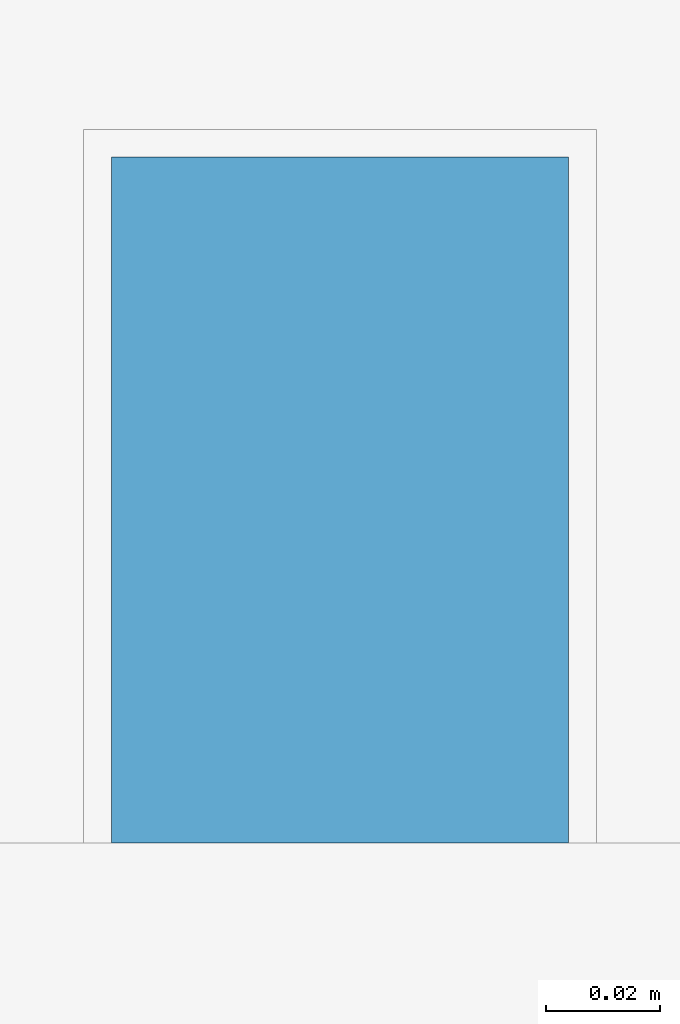
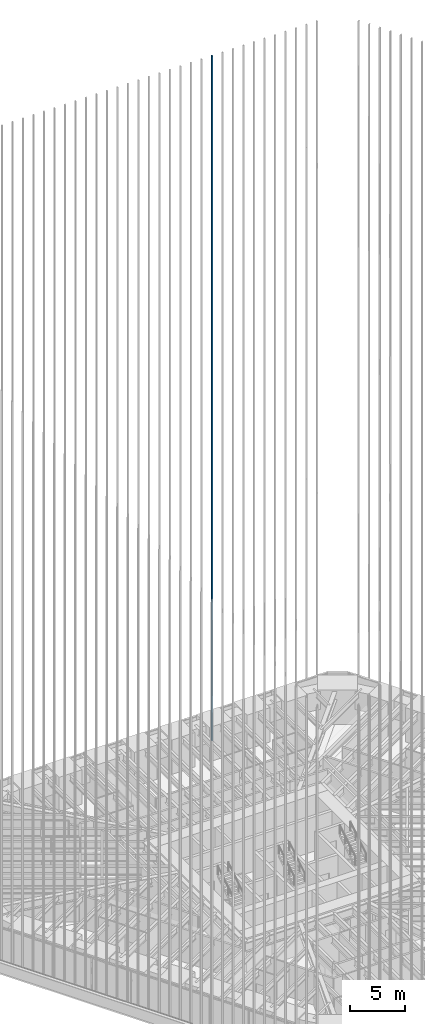
# One storey, part 205 of 238: 1 member, 1 element without a shape of its own.
"""IFC4 building model written with IfcOpenShell, lengths in metres."""

from ifc_helpers import new_model, si_unit, direction, frame, origin, origin_2d, place, context, subcontext, project, spatial, rectangle, extrude, material, material_profile, profile_set, type_object, element, aggregate, save


model = new_model("IFC4")

# Units and contexts
model_context = context("Model", 3, precision=1e-05, world=origin(), true_north=direction((0.0, 1.0)))
body_context = subcontext(model_context, "Body", "Model", "MODEL_VIEW")
ifc_project = project(units=[si_unit("LENGTHUNIT", "METRE"), si_unit("AREAUNIT", "SQUARE_METRE"), si_unit("VOLUMEUNIT", "CUBIC_METRE"), si_unit("PLANEANGLEUNIT", "RADIAN"), si_unit("MASSUNIT", "GRAM", prefix="KILO")], contexts=[model_context])

# Site, building, storey
site_placement = place(None, origin())
site = spatial("IfcSite", under=ifc_project, at=site_placement, CompositionType="ELEMENT")
building_placement = place(site_placement, origin())
building = spatial("IfcBuilding", under=site, at=building_placement, Name="Sandreach Pilgrim Tower", CompositionType="ELEMENT")
storey_placement = place(building_placement, frame((0.0, 0.0, 96.800048828125)))
storey = spatial("IfcBuildingStorey", under=building, at=storey_placement, Name="L23", CompositionType="ELEMENT", Elevation=96.800048828125)

# Curtain wall, member
ifc_material_1 = material(Name="Aluminium framed curtain wall", Category="aluminium")
curtain_wall_type = type_object("IfcCurtainWallType", Name="Hotel tower curtain wall", PredefinedType="NOTDEFINED", material=ifc_material_1)
curtain_wall_placement = place(storey_placement, origin())
curtain_wall = element("IfcCurtainWall", 1, at=curtain_wall_placement, inside=storey, type_object=curtain_wall_type, Name="CW-2 L23 N", PredefinedType="NOTDEFINED")
ifc_material_2 = material(Name="Extruded terracotta on aluminium core", Category="masonry")
ifc_material_profile = material_profile(ifc_material_2, rectangle(XDim=0.080078125, YDim=0.1201171875, at=origin_2d()), Name="TBN 80X120")
ifc_profile_set = profile_set([ifc_material_profile], Name="Extruded terracotta on aluminium core")
member_type = type_object("IfcMemberType", Name="Terracotta baguette north", PredefinedType="USERDEFINED", material=ifc_profile_set)
member_placement = place(storey_placement, frame((6.59619140625, 22.853759765625, 0.0), z_axis=(0.0, 0.0, 1.0), x_axis=(1.0, 0.0, 0.0)))
member = element("IfcMember", 2, at=member_placement, type_object=member_type, Name="Baguette Z2 N23", ObjectType="BAGUETTE", PredefinedType="USERDEFINED", context=body_context, shape_type="SweptSolid", body=[
    extrude(rectangle(XDim=0.080078125, YDim=0.1201171875, at=origin_2d()), origin(), (0.0, 0.0, 1.0), 75.83984375),
])
aggregate(curtain_wall, [member])

save(model, "model.ifc")
